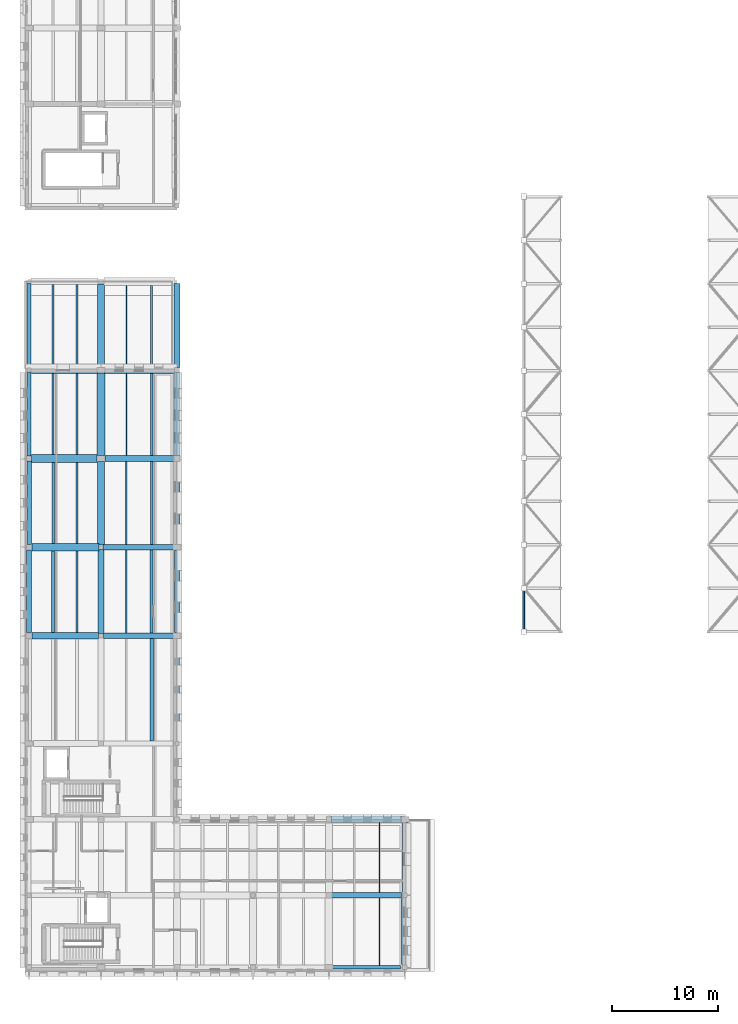
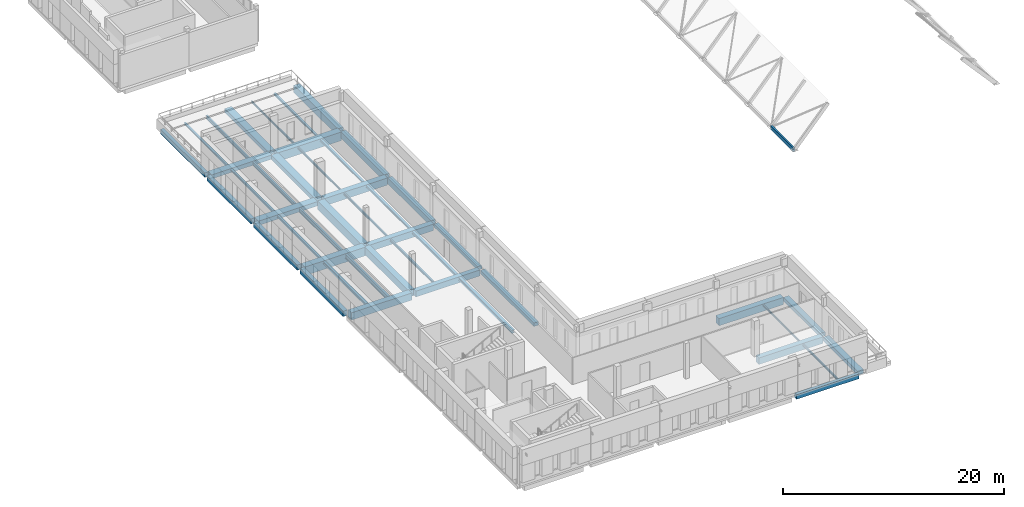
# One storey, part 6 of 34: 45 beams, 1 member.
"""IFC4 building model written with IfcOpenShell, lengths in metres."""

from ifc_helpers import new_model, si_unit, direction, frame, origin, origin_2d, place, context, subcontext, project, spatial, rectangle, i_section, extrude, material, material_profile, profile_set, type_object, element, save


model = new_model("IFC4")

# Units and contexts
model_context = context("Model", 3, precision=1e-05, world=origin(), true_north=direction((0.0, 1.0)))
body_context = subcontext(model_context, "Body", "Model", "MODEL_VIEW")
ifc_project = project(units=[si_unit("LENGTHUNIT", "METRE"), si_unit("AREAUNIT", "SQUARE_METRE"), si_unit("VOLUMEUNIT", "CUBIC_METRE"), si_unit("PLANEANGLEUNIT", "RADIAN"), si_unit("MASSUNIT", "GRAM", prefix="KILO")], contexts=[model_context])

# Site, building, storey
site_placement = place(None, origin())
site = spatial("IfcSite", under=ifc_project, at=site_placement, CompositionType="ELEMENT")
building_placement = place(site_placement, origin())
building = spatial("IfcBuilding", under=site, at=building_placement, Name="Vardoun Plaza Health Centre", CompositionType="ELEMENT")
storey_placement = place(building_placement, frame((0.0, 0.0, 12.89990234375)))
storey = spatial("IfcBuildingStorey", under=building, at=storey_placement, Name="L03", CompositionType="ELEMENT", Elevation=12.89990234375)

# Beams
ifc_material_1 = material(Name="Concrete C35/45", Category="concrete")
ifc_material_profile_1 = material_profile(ifc_material_1, rectangle(XDim=0.35009765625, YDim=0.5, at=origin_2d()), Name="RC-BM 350x500")
ifc_profile_set_1 = profile_set([ifc_material_profile_1], Name="Concrete C35/45")
beam_type_1 = type_object("IfcBeamType", Name="B-08", PredefinedType="SPANDREL", material=ifc_profile_set_1)
beam_1_placement = place(storey_placement, frame((33.550048828125, 4.8798828125, -0.52978515625), z_axis=(1.0, 0.0, 0.0), x_axis=(0.0, 1.0, 0.0)))
element("IfcBeam", 1, at=beam_1_placement, inside=storey, type_object=beam_type_1, Name="V2 L03 Beam B-V2-L03-X25", PredefinedType="SPANDREL", context=body_context, shape_type="SweptSolid", body=[
    extrude(rectangle(XDim=0.35009765625, YDim=0.5, at=origin_2d()), origin(), (0.0, 0.0, 1.0), 6.550048828125),
])
beam_2_placement = place(storey_placement, frame((4.8798828125, 61.72509765625, -0.52978515625), z_axis=(0.0, 1.0, 0.0), x_axis=(-1.0, 0.0, 0.0)))
element("IfcBeam", 2, at=beam_2_placement, inside=storey, type_object=beam_type_1, Name="V2 L03 Beam B-V2-L03-Y35", PredefinedType="SPANDREL", context=body_context, shape_type="SweptSolid", body=[
    extrude(rectangle(XDim=0.35009765625, YDim=0.5, at=origin_2d()), origin(), (0.0, 0.0, 1.0), 7.974853515625),
])
ifc_material_2 = material(Name="Concrete C35/45", Category="concrete")
ifc_material_profile_2 = material_profile(ifc_material_2, rectangle(XDim=0.39990234375, YDim=0.550048828125, at=origin_2d()), Name="RC-BM 400x550")
ifc_profile_set_2 = profile_set([ifc_material_profile_2], Name="Concrete C35/45")
beam_type_2 = type_object("IfcBeamType", Name="B-09", PredefinedType="SPANDREL", material=ifc_profile_set_2)
beam_3_placement = place(storey_placement, frame((4.8798828125, 53.35009765625, -0.554931640625), z_axis=(0.0, 1.0, 0.0), x_axis=(-1.0, 0.0, 0.0)))
element("IfcBeam", 3, at=beam_3_placement, inside=storey, type_object=beam_type_2, Name="V2 L03 Beam B-V2-L03-Y34", PredefinedType="SPANDREL", context=body_context, shape_type="SweptSolid", body=[
    extrude(rectangle(XDim=0.39990234375, YDim=0.550048828125, at=origin_2d()), origin(), (0.0, 0.0, 1.0), 7.925048828125),
])
ifc_material_3 = material(Name="Concrete C35/45", Category="concrete")
ifc_material_profile_3 = material_profile(ifc_material_3, rectangle(XDim=0.419921875, YDim=0.580078125, at=origin_2d()), Name="RC-BM 420x580")
ifc_profile_set_3 = profile_set([ifc_material_profile_3], Name="Concrete C35/45")
beam_type_3 = type_object("IfcBeamType", Name="B-10", PredefinedType="SPANDREL", material=ifc_profile_set_3)
beam_4_placement = place(storey_placement, frame((4.8798828125, 44.97509765625, -0.56982421875), z_axis=(0.0, 1.0, 0.0), x_axis=(-1.0, 0.0, 0.0)))
element("IfcBeam", 4, at=beam_4_placement, inside=storey, type_object=beam_type_3, Name="V2 L03 Beam B-V2-L03-Y33", PredefinedType="SPANDREL", context=body_context, shape_type="SweptSolid", body=[
    extrude(rectangle(XDim=0.419921875, YDim=0.580078125, at=origin_2d()), origin(), (0.0, 0.0, 1.0), 7.875),
])
ifc_material_4 = material(Name="Concrete C35/45", Category="concrete")
ifc_material_profile_4 = material_profile(ifc_material_4, rectangle(XDim=0.449951171875, YDim=0.3798828125, at=origin_2d()), Name="RC-BM 450x380")
ifc_profile_set_4 = profile_set([ifc_material_profile_4], Name="Concrete C35/45")
beam_type_4 = type_object("IfcBeamType", Name="B-01", PredefinedType="BEAM", material=ifc_profile_set_4)
beam_5_placement = place(storey_placement, frame((18.89990234375, 36.60009765625, -0.469970703125), z_axis=(0.0, 1.0, 0.0), x_axis=(-1.0, 0.0, 0.0)))
element("IfcBeam", 5, at=beam_5_placement, inside=storey, type_object=beam_type_4, Name="V2 L03 Beam B-V2-L03-Y46", PredefinedType="BEAM", context=body_context, shape_type="SweptSolid", body=[
    extrude(rectangle(XDim=0.449951171875, YDim=0.3798828125, at=origin_2d()), origin(), (0.0, 0.0, 1.0), 7.824951171875),
])
ifc_material_5 = material(Name="Concrete C35/45", Category="concrete")
ifc_material_profile_5 = material_profile(ifc_material_5, rectangle(XDim=0.449951171875, YDim=0.60009765625, at=origin_2d()), Name="RC-BM 450x600")
ifc_profile_set_5 = profile_set([ifc_material_profile_5], Name="Concrete C35/45")
beam_type_5 = type_object("IfcBeamType", Name="B-11", PredefinedType="SPANDREL", material=ifc_profile_set_5)
beam_6_placement = place(storey_placement, frame((4.8798828125, 36.60009765625, -0.579833984375), z_axis=(0.0, 1.0, 0.0), x_axis=(-1.0, 0.0, 0.0)))
element("IfcBeam", 6, at=beam_6_placement, inside=storey, type_object=beam_type_5, Name="V2 L03 Beam B-V2-L03-Y32", PredefinedType="SPANDREL", context=body_context, shape_type="SweptSolid", body=[
    extrude(rectangle(XDim=0.449951171875, YDim=0.60009765625, at=origin_2d()), origin(), (0.0, 0.0, 1.0), 7.824951171875),
])
ifc_material_6 = material(Name="Concrete C35/45", Category="concrete")
ifc_material_profile_6 = material_profile(ifc_material_6, rectangle(XDim=0.5, YDim=0.39990234375, at=origin_2d()), Name="RC-BM 500x400")
ifc_profile_set_6 = profile_set([ifc_material_profile_6], Name="Concrete C35/45")
beam_type_6 = type_object("IfcBeamType", Name="B-02", PredefinedType="BEAM", material=ifc_profile_set_6)
beam_7_placement = place(storey_placement, frame((18.89990234375, 26.375, -0.47998046875), z_axis=(0.0, 1.0, 0.0), x_axis=(-1.0, 0.0, 0.0)))
element("IfcBeam", 7, at=beam_7_placement, inside=storey, type_object=beam_type_6, Name="V2 L03 Beam B-V2-L03-Y45", PredefinedType="BEAM", context=body_context, shape_type="SweptSolid", body=[
    extrude(rectangle(XDim=0.5, YDim=0.39990234375, at=origin_2d()), origin(), (0.0, 0.0, 1.0), 9.625),
])
ifc_material_7 = material(Name="Concrete C40/50", Category="concrete")
ifc_material_profile_7 = material_profile(ifc_material_7, rectangle(XDim=0.5, YDim=0.64990234375, at=origin_2d()), Name="RC-BM 500x650")
ifc_profile_set_7 = profile_set([ifc_material_profile_7], Name="Concrete C40/50")
beam_type_7 = type_object("IfcBeamType", Name="B-13", PredefinedType="BEAM", material=ifc_profile_set_7)
beam_8_placement = place(storey_placement, frame((11.925048828125, 36.300048828125, -0.60498046875), z_axis=(1.0, 0.0, 0.0), x_axis=(0.0, 1.0, 0.0)))
element("IfcBeam", 8, at=beam_8_placement, inside=storey, type_object=beam_type_7, Name="V2 L03 Beam B-V2-L03-X14", PredefinedType="BEAM", context=body_context, shape_type="SweptSolid", body=[
    extrude(rectangle(XDim=0.5, YDim=0.64990234375, at=origin_2d()), origin(), (0.0, 0.0, 1.0), 6.675048828125),
])
beam_9_placement = place(storey_placement, frame((18.89990234375, 44.97509765625, -0.60498046875), z_axis=(0.0, 1.0, 0.0), x_axis=(-1.0, 0.0, 0.0)))
element("IfcBeam", 9, at=beam_9_placement, inside=storey, type_object=beam_type_7, Name="V2 L03 Beam B-V2-L03-Y47", PredefinedType="BEAM", context=body_context, shape_type="SweptSolid", body=[
    extrude(rectangle(XDim=0.5, YDim=0.64990234375, at=origin_2d()), origin(), (0.0, 0.0, 1.0), 7.875),
])
ifc_material_8 = material(Name="Concrete C35/45", Category="concrete")
ifc_material_profile_8 = material_profile(ifc_material_8, rectangle(XDim=0.550048828125, YDim=0.419921875, at=origin_2d()), Name="RC-BM 550x420")
ifc_profile_set_8 = profile_set([ifc_material_profile_8], Name="Concrete C35/45")
beam_type_8 = type_object("IfcBeamType", Name="B-03", PredefinedType="BEAM", material=ifc_profile_set_8)
beam_10_placement = place(storey_placement, frame((40.5, 12.0, -0.489990234375), z_axis=(0.0, 1.0, 0.0), x_axis=(-1.0, 0.0, 0.0)))
element("IfcBeam", 10, at=beam_10_placement, inside=storey, type_object=beam_type_8, Name="V2 L03 Beam B-V2-L03-Y55", PredefinedType="BEAM", context=body_context, shape_type="SweptSolid", body=[
    extrude(rectangle(XDim=0.550048828125, YDim=0.419921875, at=origin_2d()), origin(), (0.0, 0.0, 1.0), 6.625),
])
ifc_material_9 = material(Name="Concrete C40/50", Category="concrete")
ifc_material_profile_9 = material_profile(ifc_material_9, rectangle(XDim=0.550048828125, YDim=0.719970703125, at=origin_2d()), Name="RC-BM 550x720")
ifc_profile_set_9 = profile_set([ifc_material_profile_9], Name="Concrete C40/50")
beam_type_9 = type_object("IfcBeamType", Name="B-14", PredefinedType="BEAM", material=ifc_profile_set_9)
beam_11_placement = place(storey_placement, frame((11.89990234375, 44.699951171875, -0.639892578125), z_axis=(1.0, 0.0, 0.0), x_axis=(0.0, 1.0, 0.0)))
element("IfcBeam", 11, at=beam_11_placement, inside=storey, type_object=beam_type_9, Name="V2 L03 Beam B-V2-L03-X15", PredefinedType="BEAM", context=body_context, shape_type="SweptSolid", body=[
    extrude(rectangle(XDim=0.550048828125, YDim=0.719970703125, at=origin_2d()), origin(), (0.0, 0.0, 1.0), 6.72509765625),
])
beam_12_placement = place(storey_placement, frame((33.525146484375, 11.699951171875, -0.639892578125), z_axis=(1.0, 0.0, 0.0), x_axis=(0.0, 1.0, 0.0)))
element("IfcBeam", 12, at=beam_12_placement, inside=storey, type_object=beam_type_9, Name="V2 L03 Beam B-V2-L03-X26", PredefinedType="BEAM", context=body_context, shape_type="SweptSolid", body=[
    extrude(rectangle(XDim=0.550048828125, YDim=0.719970703125, at=origin_2d()), origin(), (0.0, 0.0, 1.0), 6.6748046875),
])
beam_13_placement = place(storey_placement, frame((18.89990234375, 53.35009765625, -0.639892578125), z_axis=(0.0, 1.0, 0.0), x_axis=(-1.0, 0.0, 0.0)))
element("IfcBeam", 13, at=beam_13_placement, inside=storey, type_object=beam_type_9, Name="V2 L03 Beam B-V2-L03-Y48", PredefinedType="BEAM", context=body_context, shape_type="SweptSolid", body=[
    extrude(rectangle(XDim=0.550048828125, YDim=0.719970703125, at=origin_2d()), origin(), (0.0, 0.0, 1.0), 7.925048828125),
])
ifc_material_10 = material(Name="Concrete C35/45", Category="concrete")
ifc_material_profile_10 = material_profile(ifc_material_10, rectangle(XDim=0.60009765625, YDim=0.449951171875, at=origin_2d()), Name="RC-BM 600x450")
ifc_profile_set_10 = profile_set([ifc_material_profile_10], Name="Concrete C35/45")
beam_type_10 = type_object("IfcBeamType", Name="B-04", PredefinedType="BEAM", material=ifc_profile_set_10)
beam_14_placement = place(storey_placement, frame((40.5, 5.155029296875, -0.5048828125), z_axis=(0.0, 1.0, 0.0), x_axis=(-1.0, 0.0, 0.0)))
element("IfcBeam", 14, at=beam_14_placement, inside=storey, type_object=beam_type_10, Name="V2 L03 Beam B-V2-L03-Y54", PredefinedType="BEAM", context=body_context, shape_type="SweptSolid", body=[
    extrude(rectangle(XDim=0.60009765625, YDim=0.449951171875, at=origin_2d()), origin(), (0.0, 0.0, 1.0), 6.244873046875),
])
ifc_material_11 = material(Name="Concrete C40/50", Category="concrete")
ifc_material_profile_11 = material_profile(ifc_material_11, rectangle(XDim=0.60009765625, YDim=0.800048828125, at=origin_2d()), Name="RC-BM 600x800")
ifc_profile_set_11 = profile_set([ifc_material_profile_11], Name="Concrete C40/50")
beam_type_11 = type_object("IfcBeamType", Name="B-15", PredefinedType="JOIST", material=ifc_profile_set_11)
beam_15_placement = place(storey_placement, frame((5.179931640625, 36.300048828125, -0.679931640625), z_axis=(1.0, 0.0, 0.0), x_axis=(0.0, 1.0, 0.0)))
element("IfcBeam", 15, at=beam_15_placement, inside=storey, type_object=beam_type_11, Name="V2 L03 Beam B-V2-L03-X05", PredefinedType="JOIST", context=body_context, shape_type="SweptSolid", body=[
    extrude(rectangle(XDim=0.60009765625, YDim=0.800048828125, at=origin_2d()), origin(), (0.0, 0.0, 1.0), 6.295166015625),
])
beam_16_placement = place(storey_placement, frame((12.10009765625, 53.10009765625, -0.679931640625), z_axis=(1.0, 0.0, 0.0), x_axis=(0.0, 1.0, 0.0)))
element("IfcBeam", 16, at=beam_16_placement, inside=storey, type_object=beam_type_11, Name="V2 L03 Beam B-V2-L03-X16", PredefinedType="JOIST", context=body_context, shape_type="SweptSolid", body=[
    extrude(rectangle(XDim=0.60009765625, YDim=0.800048828125, at=origin_2d()), origin(), (0.0, 0.0, 1.0), 6.5498046875),
])
beam_17_placement = place(storey_placement, frame((33.5, 18.89990234375, -0.679931640625), z_axis=(1.0, 0.0, 0.0), x_axis=(0.0, 1.0, 0.0)))
element("IfcBeam", 17, at=beam_17_placement, inside=storey, type_object=beam_type_11, Name="V2 L03 Beam B-V2-L03-X27", PredefinedType="JOIST", context=body_context, shape_type="SweptSolid", body=[
    extrude(rectangle(XDim=0.60009765625, YDim=0.800048828125, at=origin_2d()), origin(), (0.0, 0.0, 1.0), 6.72509765625),
])
for number, where, z_axis, x_axis, name in (
    (18, (11.699951171875, 36.525146484375, -0.679931640625), (0.0, 1.0, 0.0), (-1.0, 0.0, 0.0), "V2 L03 Beam B-V2-L03-Y38"),
    (19, (18.89990234375, 61.72509765625, -0.679931640625), (0.0, 1.0, 0.0), (-1.0, 0.0, 0.0), "V2 L03 Beam B-V2-L03-Y49"),
):
    element("IfcBeam", number, at=place(storey_placement, frame(where, z_axis=z_axis, x_axis=x_axis)), inside=storey, type_object=beam_type_11, Name=name, PredefinedType="JOIST", context=body_context, shape_type="SweptSolid", body=[
        extrude(rectangle(XDim=0.60009765625, YDim=0.800048828125, at=origin_2d()), origin(), (0.0, 0.0, 1.0), 7.974853515625),
    ])
ifc_material_12 = material(Name="Concrete C35/45", Category="concrete")
ifc_material_profile_12 = material_profile(ifc_material_12, rectangle(XDim=0.699951171875, YDim=0.449951171875, at=origin_2d()), Name="RC-BM 700x450")
ifc_profile_set_12 = profile_set([ifc_material_profile_12], Name="Concrete C35/45")
beam_type_12 = type_object("IfcBeamType", Name="B-06", PredefinedType="BEAM", material=ifc_profile_set_12)
beam_18_placement = place(storey_placement, frame((5.10498046875, 61.5, -0.5048828125), z_axis=(1.0, 0.0, 0.0), x_axis=(0.0, 1.0, 0.0)))
element("IfcBeam", 20, at=beam_18_placement, inside=storey, type_object=beam_type_12, Name="V2 L03 Beam B-V2-L03-X08", PredefinedType="BEAM", context=body_context, shape_type="SweptSolid", body=[
    extrude(rectangle(XDim=0.699951171875, YDim=0.449951171875, at=origin_2d()), origin(), (0.0, 0.0, 1.0), 6.294921875),
])
beam_19_placement = place(storey_placement, frame((11.699951171875, 61.800048828125, -0.505859375), z_axis=(0.0, 1.0, 0.0), x_axis=(-1.0, 0.0, 0.0)))
element("IfcBeam", 21, at=beam_19_placement, inside=storey, type_object=beam_type_12, Name="V2 L03 Beam B-V2-L03-Y41", PredefinedType="BEAM", context=body_context, shape_type="SweptSolid", body=[
    extrude(rectangle(XDim=0.699951171875, YDim=0.449951171875, at=origin_2d()), origin(), (0.0, 0.0, 1.0), 7.824951171875),
])
ifc_material_13 = material(Name="Concrete C40/50", Category="concrete")
ifc_material_profile_13 = material_profile(ifc_material_13, rectangle(XDim=0.699951171875, YDim=0.949951171875, at=origin_2d()), Name="RC-BM 700x950")
ifc_profile_set_13 = profile_set([ifc_material_profile_13], Name="Concrete C40/50")
beam_type_13 = type_object("IfcBeamType", Name="B-16", PredefinedType="LINTEL", material=ifc_profile_set_13)
beam_20_placement = place(storey_placement, frame((5.155029296875, 44.699951171875, -0.7548828125), z_axis=(1.0, 0.0, 0.0), x_axis=(0.0, 1.0, 0.0)))
element("IfcBeam", 22, at=beam_20_placement, inside=storey, type_object=beam_type_13, Name="V2 L03 Beam B-V2-L03-X06", PredefinedType="LINTEL", context=body_context, shape_type="SweptSolid", body=[
    extrude(rectangle(XDim=0.699951171875, YDim=0.949951171875, at=origin_2d()), origin(), (0.0, 0.0, 1.0), 6.344970703125),
])
beam_21_placement = place(storey_placement, frame((12.0, 61.5, -0.7548828125), z_axis=(1.0, 0.0, 0.0), x_axis=(0.0, 1.0, 0.0)))
element("IfcBeam", 23, at=beam_21_placement, inside=storey, type_object=beam_type_13, Name="V2 L03 Beam B-V2-L03-X17", PredefinedType="LINTEL", context=body_context, shape_type="SweptSolid", body=[
    extrude(rectangle(XDim=0.699951171875, YDim=0.949951171875, at=origin_2d()), origin(), (0.0, 0.0, 1.0), 6.675048828125),
])
beam_22_placement = place(storey_placement, frame((11.699951171875, 44.900146484375, -0.7548828125), z_axis=(0.0, 1.0, 0.0), x_axis=(-1.0, 0.0, 0.0)))
element("IfcBeam", 24, at=beam_22_placement, inside=storey, type_object=beam_type_13, Name="V2 L03 Beam B-V2-L03-Y39", PredefinedType="LINTEL", context=body_context, shape_type="SweptSolid", body=[
    extrude(rectangle(XDim=0.699951171875, YDim=0.949951171875, at=origin_2d()), origin(), (0.0, 0.0, 1.0), 7.9248046875),
])
ifc_material_14 = material(Name="Concrete C35/45", Category="concrete")
ifc_material_profile_14 = material_profile(ifc_material_14, rectangle(XDim=0.75, YDim=0.47998046875, at=origin_2d()), Name="RC-BM 750x480")
ifc_profile_set_14 = profile_set([ifc_material_profile_14], Name="Concrete C35/45")
beam_type_14 = type_object("IfcBeamType", Name="B-07", PredefinedType="BEAM", material=ifc_profile_set_14)
beam_23_placement = place(storey_placement, frame((5.1298828125, 53.10009765625, -0.52001953125), z_axis=(1.0, 0.0, 0.0), x_axis=(0.0, 1.0, 0.0)))
element("IfcBeam", 25, at=beam_23_placement, inside=storey, type_object=beam_type_14, Name="V2 L03 Beam B-V2-L03-X07", PredefinedType="BEAM", context=body_context, shape_type="SweptSolid", body=[
    extrude(rectangle(XDim=0.75, YDim=0.47998046875, at=origin_2d()), origin(), (0.0, 0.0, 1.0), 6.170166015625),
])
beam_24_placement = place(storey_placement, frame((11.699951171875, 53.375, -0.52001953125), z_axis=(0.0, 1.0, 0.0), x_axis=(-1.0, 0.0, 0.0)))
element("IfcBeam", 26, at=beam_24_placement, inside=storey, type_object=beam_type_14, Name="V2 L03 Beam B-V2-L03-Y40", PredefinedType="BEAM", context=body_context, shape_type="SweptSolid", body=[
    extrude(rectangle(XDim=0.75, YDim=0.47998046875, at=origin_2d()), origin(), (0.0, 0.0, 1.0), 7.824951171875),
])
ifc_material_15 = material(Name="Steel S355J2", Category="steel")
ifc_material_profile_15 = material_profile(ifc_material_15, i_section(OverallWidth=0.199951171875, OverallDepth=0.18994140625, WebThickness=0.006591796875, FlangeThickness=0.010009765625, FilletRadius=0.01806640625, at=origin_2d()), Name="HEA 200")
ifc_profile_set_15 = profile_set([ifc_material_profile_15], Name="Steel S355J2")
beam_type_15 = type_object("IfcBeamType", Name="SB-09", PredefinedType="BEAM", material=ifc_profile_set_15)
beam_25_placement = place(storey_placement, frame((7.153076171875, 61.85009765625, -0.375), z_axis=(0.0, 1.0, 0.0), x_axis=(-1.0, 0.0, 0.0)))
element("IfcBeam", 27, at=beam_25_placement, inside=storey, type_object=beam_type_15, Name="V2 L03 Secondary Floor Beam SJ-V2-L03-06", PredefinedType="BEAM", context=body_context, shape_type="SweptSolid", body=[
    extrude(i_section(OverallWidth=0.199951171875, OverallDepth=0.18994140625, WebThickness=0.006591796875, FlangeThickness=0.010009765625, FilletRadius=0.01806640625, at=origin_2d()), origin(), (0.0, 0.0, 1.0), 7.724853515625),
])
beam_26_placement = place(storey_placement, frame((16.500244140625, 61.85009765625, -0.375), z_axis=(0.0, 1.0, 0.0), x_axis=(-1.0, 0.0, 0.0)))
element("IfcBeam", 28, at=beam_26_placement, inside=storey, type_object=beam_type_15, Name="V2 L03 Secondary Floor Beam SJ-V2-L03-24", PredefinedType="BEAM", context=body_context, shape_type="SweptSolid", body=[
    extrude(i_section(OverallWidth=0.199951171875, OverallDepth=0.18994140625, WebThickness=0.006591796875, FlangeThickness=0.010009765625, FilletRadius=0.01806640625, at=origin_2d()), origin(), (0.0, 0.0, 1.0), 7.675048828125),
])
ifc_material_16 = material(Name="Steel S355J2", Category="steel")
ifc_material_profile_16 = material_profile(ifc_material_16, i_section(OverallWidth=0.219970703125, OverallDepth=0.2099609375, WebThickness=0.007080078125, FlangeThickness=0.010986328125, FilletRadius=0.01806640625, at=origin_2d()), Name="HEA 220")
ifc_profile_set_16 = profile_set([ifc_material_profile_16], Name="Steel S355J2")
beam_type_16 = type_object("IfcBeamType", Name="SB-08", PredefinedType="BEAM", material=ifc_profile_set_16)
beam_27_placement = place(storey_placement, frame((7.153076171875, 53.47509765625, -0.385009765625), z_axis=(0.0, 1.0, 0.0), x_axis=(-1.0, 0.0, 0.0)))
element("IfcBeam", 29, at=beam_27_placement, inside=storey, type_object=beam_type_16, Name="V2 L03 Secondary Floor Beam SJ-V2-L03-05", PredefinedType="BEAM", context=body_context, shape_type="SweptSolid", body=[
    extrude(i_section(OverallWidth=0.219970703125, OverallDepth=0.2099609375, WebThickness=0.007080078125, FlangeThickness=0.010986328125, FilletRadius=0.01806640625, at=origin_2d()), origin(), (0.0, 0.0, 1.0), 7.675048828125),
])
beam_28_placement = place(storey_placement, frame((16.500244140625, 53.400146484375, -0.385009765625), z_axis=(0.0, 1.0, 0.0), x_axis=(-1.0, 0.0, 0.0)))
element("IfcBeam", 30, at=beam_28_placement, inside=storey, type_object=beam_type_16, Name="V2 L03 Secondary Floor Beam SJ-V2-L03-23", PredefinedType="BEAM", context=body_context, shape_type="SweptSolid", body=[
    extrude(i_section(OverallWidth=0.219970703125, OverallDepth=0.2099609375, WebThickness=0.007080078125, FlangeThickness=0.010986328125, FilletRadius=0.01806640625, at=origin_2d()), origin(), (0.0, 0.0, 1.0), 7.75),
])
ifc_material_17 = material(Name="Steel S355J2", Category="steel")
ifc_material_profile_17 = material_profile(ifc_material_17, i_section(OverallWidth=0.239990234375, OverallDepth=0.22998046875, WebThickness=0.007568359375, FlangeThickness=0.011962890625, FilletRadius=0.02099609375, at=origin_2d()), Name="HEA 240")
ifc_profile_set_17 = profile_set([ifc_material_profile_17], Name="Steel S355J2")
beam_type_17 = type_object("IfcBeamType", Name="SB-07", PredefinedType="BEAM", material=ifc_profile_set_17)
beam_29_placement = place(storey_placement, frame((7.153076171875, 45.050048828125, -0.39501953125), z_axis=(0.0, 1.0, 0.0), x_axis=(-1.0, 0.0, 0.0)))
element("IfcBeam", 31, at=beam_29_placement, inside=storey, type_object=beam_type_17, Name="V2 L03 Secondary Floor Beam SJ-V2-L03-04", PredefinedType="BEAM", context=body_context, shape_type="SweptSolid", body=[
    extrude(i_section(OverallWidth=0.239990234375, OverallDepth=0.22998046875, WebThickness=0.007568359375, FlangeThickness=0.011962890625, FilletRadius=0.02099609375, at=origin_2d()), origin(), (0.0, 0.0, 1.0), 7.675048828125),
])
beam_30_placement = place(storey_placement, frame((16.500244140625, 44.97509765625, -0.39501953125), z_axis=(0.0, 1.0, 0.0), x_axis=(-1.0, 0.0, 0.0)))
element("IfcBeam", 32, at=beam_30_placement, inside=storey, type_object=beam_type_17, Name="V2 L03 Secondary Floor Beam SJ-V2-L03-22", PredefinedType="BEAM", context=body_context, shape_type="SweptSolid", body=[
    extrude(i_section(OverallWidth=0.239990234375, OverallDepth=0.22998046875, WebThickness=0.007568359375, FlangeThickness=0.011962890625, FilletRadius=0.02099609375, at=origin_2d()), origin(), (0.0, 0.0, 1.0), 7.824951171875),
])
ifc_material_18 = material(Name="Steel S355J2", Category="steel")
ifc_material_profile_18 = material_profile(ifc_material_18, i_section(OverallWidth=0.280029296875, OverallDepth=0.27001953125, WebThickness=0.008056640625, FlangeThickness=0.012939453125, FilletRadius=0.02392578125, at=origin_2d()), Name="HEA 280")
ifc_profile_set_18 = profile_set([ifc_material_profile_18], Name="Steel S355J2")
beam_type_18 = type_object("IfcBeamType", Name="SB-06", PredefinedType="BEAM", material=ifc_profile_set_18)
beam_31_placement = place(storey_placement, frame((7.153076171875, 36.60009765625, -0.414794921875), z_axis=(0.0, 1.0, 0.0), x_axis=(-1.0, 0.0, 0.0)))
element("IfcBeam", 33, at=beam_31_placement, inside=storey, type_object=beam_type_18, Name="V2 L03 Secondary Floor Beam SJ-V2-L03-03", PredefinedType="BEAM", context=body_context, shape_type="SweptSolid", body=[
    extrude(i_section(OverallWidth=0.280029296875, OverallDepth=0.27001953125, WebThickness=0.008056640625, FlangeThickness=0.012939453125, FilletRadius=0.02392578125, at=origin_2d()), origin(), (0.0, 0.0, 1.0), 7.75),
])
beam_32_placement = place(storey_placement, frame((16.500244140625, 36.550048828125, -0.414794921875), z_axis=(0.0, 1.0, 0.0), x_axis=(-1.0, 0.0, 0.0)))
element("IfcBeam", 34, at=beam_32_placement, inside=storey, type_object=beam_type_18, Name="V2 L03 Secondary Floor Beam SJ-V2-L03-21", PredefinedType="BEAM", context=body_context, shape_type="SweptSolid", body=[
    extrude(i_section(OverallWidth=0.280029296875, OverallDepth=0.27001953125, WebThickness=0.008056640625, FlangeThickness=0.012939453125, FilletRadius=0.02392578125, at=origin_2d()), origin(), (0.0, 0.0, 1.0), 7.875),
])
ifc_material_19 = material(Name="Steel S355J2", Category="steel")
ifc_material_profile_19 = material_profile(ifc_material_19, i_section(OverallWidth=0.300048828125, OverallDepth=0.330078125, WebThickness=0.009521484375, FlangeThickness=0.0166015625, FilletRadius=0.027099609375, at=origin_2d()), Name="HEA 340")
ifc_profile_set_19 = profile_set([ifc_material_profile_19], Name="Steel S355J2")
beam_type_19 = type_object("IfcBeamType", Name="SB-04", PredefinedType="BEAM", material=ifc_profile_set_19)
beam_33_placement = place(storey_placement, frame((16.500244140625, 26.324951171875, -0.44482421875), z_axis=(0.0, 1.0, 0.0), x_axis=(-1.0, 0.0, 0.0)))
element("IfcBeam", 35, at=beam_33_placement, inside=storey, type_object=beam_type_19, Name="V2 L03 Secondary Floor Beam SJ-V2-L03-20", PredefinedType="BEAM", context=body_context, shape_type="SweptSolid", body=[
    extrude(i_section(OverallWidth=0.300048828125, OverallDepth=0.330078125, WebThickness=0.009521484375, FlangeThickness=0.0166015625, FilletRadius=0.027099609375, at=origin_2d()), origin(), (0.0, 0.0, 1.0), 9.72509765625),
])
ifc_material_20 = material(Name="Steel S355J2", Category="steel")
ifc_material_profile_20 = material_profile(ifc_material_20, i_section(OverallWidth=0.10009765625, OverallDepth=0.199951171875, WebThickness=0.005615234375, FlangeThickness=0.008544921875, FilletRadius=0.011962890625, at=origin_2d()), Name="IPE 200")
ifc_profile_set_20 = profile_set([ifc_material_profile_20], Name="Steel S355J2")
beam_type_20 = type_object("IfcBeamType", Name="SB-19", PredefinedType="SPANDREL", material=ifc_profile_set_20)
beam_34_placement = place(storey_placement, frame((14.099853515625, 61.85009765625, -0.3798828125), z_axis=(0.0, 1.0, 0.0), x_axis=(-1.0, 0.0, 0.0)))
element("IfcBeam", 36, at=beam_34_placement, inside=storey, type_object=beam_type_20, Name="V2 L03 Secondary Floor Beam SJ-V2-L03-18", PredefinedType="SPANDREL", context=body_context, shape_type="SweptSolid", body=[
    extrude(i_section(OverallWidth=0.10009765625, OverallDepth=0.199951171875, WebThickness=0.005615234375, FlangeThickness=0.008544921875, FilletRadius=0.011962890625, at=origin_2d()), origin(), (0.0, 0.0, 1.0), 7.675048828125),
])
beam_35_placement = place(storey_placement, frame((38.10009765625, 11.97509765625, -0.3798828125), z_axis=(0.0, 1.0, 0.0), x_axis=(-1.0, 0.0, 0.0)))
element("IfcBeam", 37, at=beam_35_placement, inside=storey, type_object=beam_type_20, Name="V2 L03 Secondary Floor Beam SJ-V2-L03-36", PredefinedType="SPANDREL", context=body_context, shape_type="SweptSolid", body=[
    extrude(i_section(OverallWidth=0.10009765625, OverallDepth=0.199951171875, WebThickness=0.005615234375, FlangeThickness=0.008544921875, FilletRadius=0.011962890625, at=origin_2d()), origin(), (0.0, 0.0, 1.0), 6.625),
])
ifc_material_21 = material(Name="Steel S355J2", Category="steel")
ifc_material_profile_21 = material_profile(ifc_material_21, i_section(OverallWidth=0.110107421875, OverallDepth=0.219970703125, WebThickness=0.005859375, FlangeThickness=0.00927734375, FilletRadius=0.011962890625, at=origin_2d()), Name="IPE 220")
ifc_profile_set_21 = profile_set([ifc_material_profile_21], Name="Steel S355J2")
beam_type_21 = type_object("IfcBeamType", Name="SB-18", PredefinedType="JOIST", material=ifc_profile_set_21)
beam_36_placement = place(storey_placement, frame((14.099853515625, 53.400146484375, -0.389892578125), z_axis=(0.0, 1.0, 0.0), x_axis=(-1.0, 0.0, 0.0)))
element("IfcBeam", 38, at=beam_36_placement, inside=storey, type_object=beam_type_21, Name="V2 L03 Secondary Floor Beam SJ-V2-L03-17", PredefinedType="JOIST", context=body_context, shape_type="SweptSolid", body=[
    extrude(i_section(OverallWidth=0.110107421875, OverallDepth=0.219970703125, WebThickness=0.005859375, FlangeThickness=0.00927734375, FilletRadius=0.011962890625, at=origin_2d()), origin(), (0.0, 0.0, 1.0), 7.75),
])
beam_37_placement = place(storey_placement, frame((38.10009765625, 5.054931640625, -0.389892578125), z_axis=(0.0, 1.0, 0.0), x_axis=(-1.0, 0.0, 0.0)))
element("IfcBeam", 39, at=beam_37_placement, inside=storey, type_object=beam_type_21, Name="V2 L03 Secondary Floor Beam SJ-V2-L03-35", PredefinedType="JOIST", context=body_context, shape_type="SweptSolid", body=[
    extrude(i_section(OverallWidth=0.110107421875, OverallDepth=0.219970703125, WebThickness=0.005859375, FlangeThickness=0.00927734375, FilletRadius=0.011962890625, at=origin_2d()), origin(), (0.0, 0.0, 1.0), 6.3701171875),
])
ifc_material_22 = material(Name="Steel S355J2", Category="steel")
ifc_material_profile_22 = material_profile(ifc_material_22, i_section(OverallWidth=0.1201171875, OverallDepth=0.239990234375, WebThickness=0.006103515625, FlangeThickness=0.009765625, FilletRadius=0.014892578125, at=origin_2d()), Name="IPE 240")
ifc_profile_set_22 = profile_set([ifc_material_profile_22], Name="Steel S355J2")
beam_type_22 = type_object("IfcBeamType", Name="SB-17", PredefinedType="JOIST", material=ifc_profile_set_22)
beam_38_placement = place(storey_placement, frame((14.099853515625, 44.97509765625, -0.39990234375), z_axis=(0.0, 1.0, 0.0), x_axis=(-1.0, 0.0, 0.0)))
element("IfcBeam", 40, at=beam_38_placement, inside=storey, type_object=beam_type_22, Name="V2 L03 Secondary Floor Beam SJ-V2-L03-16", PredefinedType="JOIST", context=body_context, shape_type="SweptSolid", body=[
    extrude(i_section(OverallWidth=0.1201171875, OverallDepth=0.239990234375, WebThickness=0.006103515625, FlangeThickness=0.009765625, FilletRadius=0.014892578125, at=origin_2d()), origin(), (0.0, 0.0, 1.0), 7.824951171875),
])
ifc_material_23 = material(Name="Steel S355J2", Category="steel")
ifc_material_profile_23 = material_profile(ifc_material_23, i_section(OverallWidth=0.135009765625, OverallDepth=0.27001953125, WebThickness=0.006591796875, FlangeThickness=0.01025390625, FilletRadius=0.014892578125, at=origin_2d()), Name="IPE 270")
ifc_profile_set_23 = profile_set([ifc_material_profile_23], Name="Steel S355J2")
beam_type_23 = type_object("IfcBeamType", Name="SB-16", PredefinedType="JOIST", material=ifc_profile_set_23)
beam_39_placement = place(storey_placement, frame((14.099853515625, 36.550048828125, -0.414794921875), z_axis=(0.0, 1.0, 0.0), x_axis=(-1.0, 0.0, 0.0)))
element("IfcBeam", 41, at=beam_39_placement, inside=storey, type_object=beam_type_23, Name="V2 L03 Secondary Floor Beam SJ-V2-L03-15", PredefinedType="JOIST", context=body_context, shape_type="SweptSolid", body=[
    extrude(i_section(OverallWidth=0.135009765625, OverallDepth=0.27001953125, WebThickness=0.006591796875, FlangeThickness=0.01025390625, FilletRadius=0.014892578125, at=origin_2d()), origin(), (0.0, 0.0, 1.0), 7.875),
])
ifc_material_24 = material(Name="Steel S355J2", Category="steel")
ifc_material_profile_24 = material_profile(ifc_material_24, i_section(OverallWidth=0.169921875, OverallDepth=0.360107421875, WebThickness=0.008056640625, FlangeThickness=0.0126953125, FilletRadius=0.01806640625, at=origin_2d()), Name="IPE 360")
ifc_profile_set_24 = profile_set([ifc_material_profile_24], Name="Steel S355J2")
beam_type_24 = type_object("IfcBeamType", Name="SB-13", PredefinedType="JOIST", material=ifc_profile_set_24)
beam_40_placement = place(storey_placement, frame((9.427001953125, 61.85009765625, -0.4599609375), z_axis=(0.0, 1.0, 0.0), x_axis=(-1.0, 0.0, 0.0)))
element("IfcBeam", 42, at=beam_40_placement, inside=storey, type_object=beam_type_24, Name="V2 L03 Secondary Floor Beam SJ-V2-L03-12", PredefinedType="JOIST", context=body_context, shape_type="SweptSolid", body=[
    extrude(i_section(OverallWidth=0.169921875, OverallDepth=0.360107421875, WebThickness=0.008056640625, FlangeThickness=0.0126953125, FilletRadius=0.01806640625, at=origin_2d()), origin(), (0.0, 0.0, 1.0), 7.724853515625),
])
ifc_material_25 = material(Name="Steel S355J2", Category="steel")
ifc_material_profile_25 = material_profile(ifc_material_25, i_section(OverallWidth=0.179931640625, OverallDepth=0.39990234375, WebThickness=0.008544921875, FlangeThickness=0.013427734375, FilletRadius=0.02099609375, at=origin_2d()), Name="IPE 400")
ifc_profile_set_25 = profile_set([ifc_material_profile_25], Name="Steel S355J2")
beam_type_25 = type_object("IfcBeamType", Name="SB-12", PredefinedType="BEAM", material=ifc_profile_set_25)
beam_41_placement = place(storey_placement, frame((9.427001953125, 53.47509765625, -0.47998046875), z_axis=(0.0, 1.0, 0.0), x_axis=(-1.0, 0.0, 0.0)))
element("IfcBeam", 43, at=beam_41_placement, inside=storey, type_object=beam_type_25, Name="V2 L03 Secondary Floor Beam SJ-V2-L03-11", PredefinedType="BEAM", context=body_context, shape_type="SweptSolid", body=[
    extrude(i_section(OverallWidth=0.179931640625, OverallDepth=0.39990234375, WebThickness=0.008544921875, FlangeThickness=0.013427734375, FilletRadius=0.02099609375, at=origin_2d()), origin(), (0.0, 0.0, 1.0), 7.675048828125),
])
ifc_material_26 = material(Name="Steel S355J2", Category="steel")
ifc_material_profile_26 = material_profile(ifc_material_26, i_section(OverallWidth=0.18994140625, OverallDepth=0.449951171875, WebThickness=0.009521484375, FlangeThickness=0.0146484375, FilletRadius=0.02099609375, at=origin_2d()), Name="IPE 450")
ifc_profile_set_26 = profile_set([ifc_material_profile_26], Name="Steel S355J2")
beam_type_26 = type_object("IfcBeamType", Name="SB-11", PredefinedType="BEAM", material=ifc_profile_set_26)
beam_42_placement = place(storey_placement, frame((9.427001953125, 45.050048828125, -0.5048828125), z_axis=(0.0, 1.0, 0.0), x_axis=(-1.0, 0.0, 0.0)))
element("IfcBeam", 44, at=beam_42_placement, inside=storey, type_object=beam_type_26, Name="V2 L03 Secondary Floor Beam SJ-V2-L03-10", PredefinedType="BEAM", context=body_context, shape_type="SweptSolid", body=[
    extrude(i_section(OverallWidth=0.18994140625, OverallDepth=0.449951171875, WebThickness=0.009521484375, FlangeThickness=0.0146484375, FilletRadius=0.02099609375, at=origin_2d()), origin(), (0.0, 0.0, 1.0), 7.675048828125),
])
ifc_material_27 = material(Name="Steel S355J2", Category="steel")
ifc_material_profile_27 = material_profile(ifc_material_27, i_section(OverallWidth=0.199951171875, OverallDepth=0.5, WebThickness=0.01025390625, FlangeThickness=0.01611328125, FilletRadius=0.02099609375, at=origin_2d()), Name="IPE 500")
ifc_profile_set_27 = profile_set([ifc_material_profile_27], Name="Steel S355J2")
beam_type_27 = type_object("IfcBeamType", Name="SB-10", PredefinedType="BEAM", material=ifc_profile_set_27)
beam_43_placement = place(storey_placement, frame((9.427001953125, 36.60009765625, -0.52978515625), z_axis=(0.0, 1.0, 0.0), x_axis=(-1.0, 0.0, 0.0)))
element("IfcBeam", 45, at=beam_43_placement, inside=storey, type_object=beam_type_27, Name="V2 L03 Secondary Floor Beam SJ-V2-L03-09", PredefinedType="BEAM", context=body_context, shape_type="SweptSolid", body=[
    extrude(i_section(OverallWidth=0.199951171875, OverallDepth=0.5, WebThickness=0.01025390625, FlangeThickness=0.01611328125, FilletRadius=0.02099609375, at=origin_2d()), origin(), (0.0, 0.0, 1.0), 7.75),
])

# Member
ifc_material_28 = material(Name="Glulam GL28h", Category="wood")
ifc_material_profile_28 = material_profile(ifc_material_28, rectangle(XDim=0.179931640625, YDim=0.39990234375, at=origin_2d()), Name="GL28h 180x400")
ifc_profile_set_28 = profile_set([ifc_material_profile_28], Name="Glulam GL28h")
member_type = type_object("IfcMemberType", Name="GP-02", PredefinedType="PURLIN", material=ifc_profile_set_28)
member_placement = place(storey_placement, frame((51.764892578125, 36.679931640625, 1.0126953125), z_axis=(0.0, 1.0, 0.0), x_axis=(-1.0, 0.0, 0.0)))
element("IfcMember", 46, at=member_placement, inside=storey, type_object=member_type, Name="Gridshell Glulam Purlin GP-02-01", PredefinedType="PURLIN", context=body_context, shape_type="SweptSolid", body=[
    extrude(rectangle(XDim=0.179931640625, YDim=0.39990234375, at=origin_2d()), origin(), (0.0, 0.0, 1.0), 4.1240234375),
])

save(model, "model.ifc")
